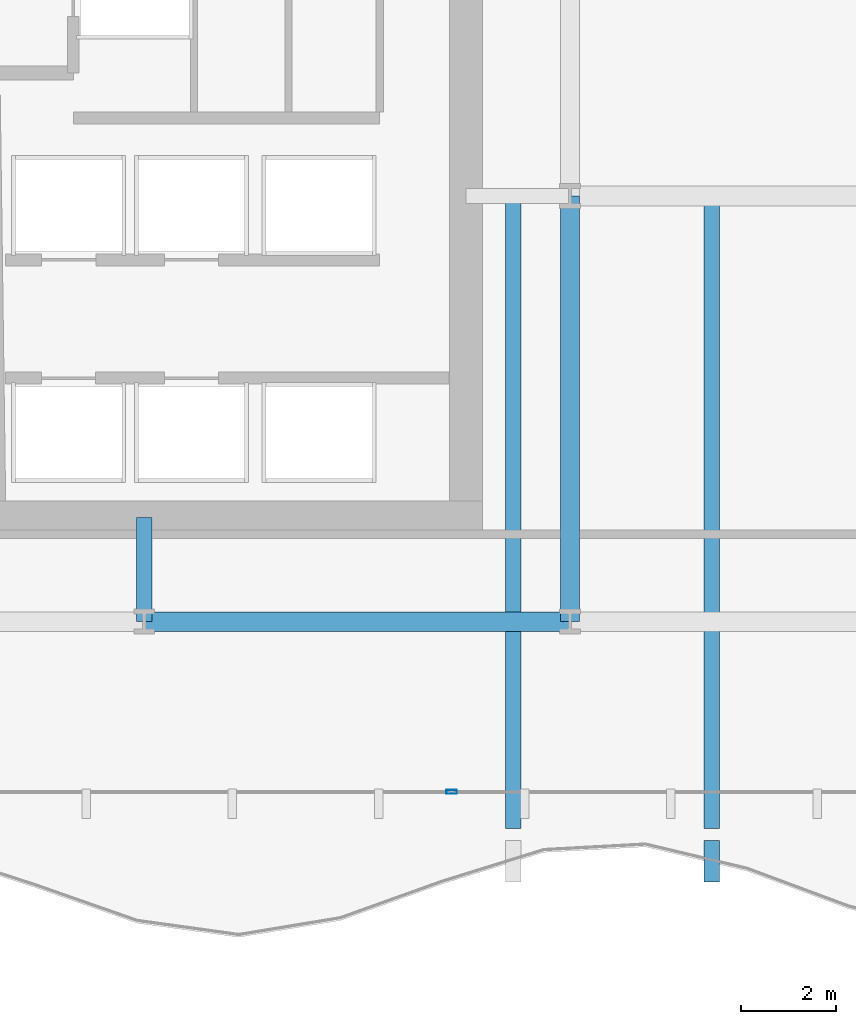
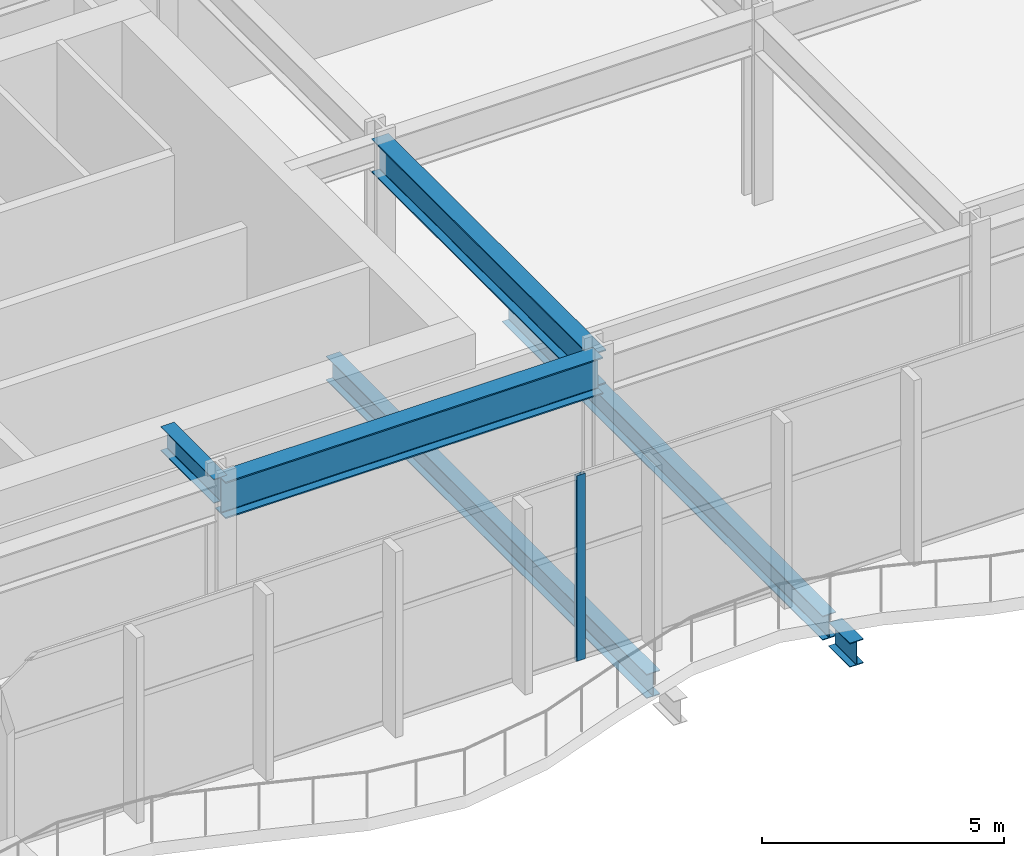
# One storey, part 7 of 28: 6 beams, 1 member, 1 element without a shape of its own.
"""IFC4 building model written with IfcOpenShell, lengths in metres."""

from ifc_helpers import new_model, si_unit, direction, frame, origin, origin_2d, place, context, subcontext, project, spatial, hollow_rectangle, i_section, extrude, material, layer, layer_set, material_profile, profile_set, type_object, element, aggregate, save


model = new_model("IFC4")

# Units and contexts
model_context = context("Model", 3, precision=1e-05, world=origin(), true_north=direction((0.0, 1.0)))
body_context = subcontext(model_context, "Body", "Model", "MODEL_VIEW")
ifc_project = project(units=[si_unit("LENGTHUNIT", "METRE"), si_unit("AREAUNIT", "SQUARE_METRE"), si_unit("VOLUMEUNIT", "CUBIC_METRE"), si_unit("PLANEANGLEUNIT", "RADIAN"), si_unit("MASSUNIT", "GRAM", prefix="KILO")], contexts=[model_context])

# Site, building, storey
site_placement = place(None, origin())
site = spatial("IfcSite", under=ifc_project, at=site_placement, CompositionType="ELEMENT")
building_placement = place(site_placement, origin())
building = spatial("IfcBuilding", under=site, at=building_placement, Name="Solvaryn Broadcast Tower", CompositionType="ELEMENT")
storey_placement = place(building_placement, frame((0.0, 0.0, 16.199951171875)))
storey = spatial("IfcBuildingStorey", under=building, at=storey_placement, Name="L03", CompositionType="ELEMENT", Elevation=16.199951171875)

# Beams
ifc_material_1 = material(Name="Steel ASTM A992 Grade 50", Category="steel")
ifc_material_profile_1 = material_profile(ifc_material_1, i_section(OverallWidth=0.323974609375, OverallDepth=0.611083984375, WebThickness=0.0126953125, FlangeThickness=0.01904296875, FilletRadius=0.014892578125, at=origin_2d()))
ifc_profile_set_1 = profile_set([ifc_material_profile_1], Name="Steel ASTM A992 Grade 50")
beam_type_1 = type_object("IfcBeamType", Name="BM-B1-W24X104", PredefinedType="BEAM", material=ifc_profile_set_1)
for number, where, z_axis, x_axis, name in (
    (1, (43.800048828125, 17.875, -0.62548828125), (0.0, -1.0, 0.0), (1.0, 0.0, 0.0), "L03 Terrace Back-Span Beam X43.8"),
    (2, (48.0, 17.875, -0.62548828125), (0.0, -1.0, 0.0), (1.0, 0.0, 0.0), "L03 Terrace Back-Span Beam X48.0"),
):
    element("IfcBeam", number, at=place(storey_placement, frame(where, z_axis=z_axis, x_axis=x_axis)), inside=storey, type_object=beam_type_1, Name=name, PredefinedType="BEAM", context=body_context, shape_type="SweptSolid", body=[
        extrude(i_section(OverallWidth=0.323974609375, OverallDepth=0.611083984375, WebThickness=0.0126953125, FlangeThickness=0.01904296875, FilletRadius=0.014892578125, at=origin_2d()), origin(), (0.0, 0.0, 1.0), 13.25),
    ])
beam_1_placement = place(storey_placement, frame((36.0, 9.0, 4.37451171875), z_axis=(0.0, 1.0, 0.0), x_axis=(-1.0, 0.0, 0.0)))
element("IfcBeam", 3, at=beam_1_placement, inside=storey, type_object=beam_type_1, Name="L03 Core Tie Beam CTE1", PredefinedType="BEAM", context=body_context, shape_type="SweptSolid", body=[
    extrude(i_section(OverallWidth=0.323974609375, OverallDepth=0.611083984375, WebThickness=0.0126953125, FlangeThickness=0.01904296875, FilletRadius=0.014892578125, at=origin_2d()), origin(), (0.0, 0.0, 1.0), 2.199951171875),
])
ifc_material_2 = material(Name="Steel ASTM A992 Grade 50", Category="steel")
ifc_material_profile_2 = material_profile(ifc_material_2, i_section(OverallWidth=0.323974609375, OverallDepth=0.611083984375, WebThickness=0.0126953125, FlangeThickness=0.01904296875, FilletRadius=0.014892578125, at=origin_2d()))
ifc_profile_set_2 = profile_set([ifc_material_profile_2], Name="Steel ASTM A992 Grade 50")
beam_type_2 = type_object("IfcBeamType", Name="BM-CANT-TER", PredefinedType="BEAM", material=ifc_profile_set_2)
beam_2_placement = place(storey_placement, frame((48.0, 4.375, -0.62548828125), z_axis=(0.0, -1.0, 0.0), x_axis=(1.0, 0.0, 0.0)))
element("IfcBeam", 4, at=beam_2_placement, inside=storey, type_object=beam_type_2, Name="L03 Terrace Cantilever Beam X48.0", PredefinedType="BEAM", context=body_context, shape_type="SweptSolid", body=[
    extrude(i_section(OverallWidth=0.323974609375, OverallDepth=0.611083984375, WebThickness=0.0126953125, FlangeThickness=0.01904296875, FilletRadius=0.014892578125, at=origin_2d()), origin(), (0.0, 0.0, 1.0), 0.875),
])
ifc_material_3 = material(Name="Steel ASTM A992 Grade 50", Category="steel")
ifc_material_profile_3 = material_profile(ifc_material_3, i_section(OverallWidth=0.41796875, OverallDepth=0.927001953125, WebThickness=0.019287109375, FlangeThickness=0.031982421875, FilletRadius=0.02392578125, at=origin_2d()))
ifc_profile_set_3 = profile_set([ifc_material_profile_3], Name="Steel ASTM A992 Grade 50")
beam_type_3 = type_object("IfcBeamType", Name="BM-G2-W36X231", PredefinedType="BEAM", material=ifc_profile_set_3)
beam_3_placement = place(storey_placement, frame((36.0, 9.0, 4.216552734375), z_axis=(1.0, 0.0, 0.0), x_axis=(0.0, 1.0, 0.0)))
element("IfcBeam", 5, at=beam_3_placement, inside=storey, type_object=beam_type_3, Name="L03 Primary Beam X (36-45 @ Y=9)", PredefinedType="BEAM", context=body_context, shape_type="SweptSolid", body=[
    extrude(i_section(OverallWidth=0.41796875, OverallDepth=0.927001953125, WebThickness=0.019287109375, FlangeThickness=0.031982421875, FilletRadius=0.02392578125, at=origin_2d()), origin(), (0.0, 0.0, 1.0), 9.0),
])
ifc_material_4 = material(Name="Steel ASTM A992 Grade 50", Category="steel")
ifc_material_profile_4 = material_profile(ifc_material_4, i_section(OverallWidth=0.39990234375, OverallDepth=0.85498046875, WebThickness=0.018310546875, FlangeThickness=0.029296875, FilletRadius=0.02001953125, at=origin_2d()))
ifc_profile_set_4 = profile_set([ifc_material_profile_4], Name="Steel ASTM A992 Grade 50")
beam_type_4 = type_object("IfcBeamType", Name="BM-G3-W33X201", PredefinedType="BEAM", material=ifc_profile_set_4)
beam_4_placement = place(storey_placement, frame((45.0, 9.0, 4.25244140625), z_axis=(0.0, 1.0, 0.0), x_axis=(-1.0, 0.0, 0.0)))
element("IfcBeam", 6, at=beam_4_placement, inside=storey, type_object=beam_type_4, Name="L03 Primary Beam Y (9-18 @ X=45)", PredefinedType="BEAM", context=body_context, shape_type="SweptSolid", body=[
    extrude(i_section(OverallWidth=0.39990234375, OverallDepth=0.85498046875, WebThickness=0.018310546875, FlangeThickness=0.029296875, FilletRadius=0.02001953125, at=origin_2d()), origin(), (0.0, 0.0, 1.0), 9.0),
])

# Curtain wall, member
ifc_material_5 = material(Name="Aluminium and Terracotta Unitised Curtain Wall", Category="masonry")
ifc_layer = layer(ifc_material_5, 0.219970703125)
ifc_layer_set = layer_set([ifc_layer], Name="CW-SYS1-PODIUM")
curtain_wall_type = type_object("IfcCurtainWallType", Name="CW-SYS1-PODIUM", PredefinedType="NOTDEFINED", material=ifc_layer_set)
curtain_wall_placement = place(storey_placement, origin())
curtain_wall = element("IfcCurtainWall", 7, at=curtain_wall_placement, inside=storey, type_object=curtain_wall_type, Name="L03 Podium Curtain Wall S1", PredefinedType="NOTDEFINED")
ifc_material_6 = material(Name="Anodised Aluminium 6063-T6", Category="aluminium")
ifc_material_profile_5 = material_profile(ifc_material_6, hollow_rectangle(XDim=0.0849609375, YDim=0.219970703125, WallThickness=0.0048828125, InnerFilletRadius=0.0048828125, OuterFilletRadius=0.010009765625, at=origin_2d()))
ifc_profile_set_5 = profile_set([ifc_material_profile_5], Name="Anodised Aluminium 6063-T6")
member_type = type_object("IfcMemberType", Name="CW-MUL-220", PredefinedType="MULLION", material=ifc_profile_set_5)
member_placement = place(storey_placement, frame((42.5, 5.39990234375, 0.0), z_axis=(0.0, 0.0, 1.0), x_axis=(0.0, -1.0, 0.0)))
member = element("IfcMember", 8, at=member_placement, type_object=member_type, Name="CWS1 mullion 2", PredefinedType="MULLION", context=body_context, shape_type="SweptSolid", body=[
    extrude(hollow_rectangle(XDim=0.0849609375, YDim=0.219970703125, WallThickness=0.0048828125, InnerFilletRadius=0.0048828125, OuterFilletRadius=0.010009765625, at=origin_2d()), origin(), (0.0, 0.0, 1.0), 4.679931640625),
])
aggregate(curtain_wall, [member])

save(model, "model.ifc")
